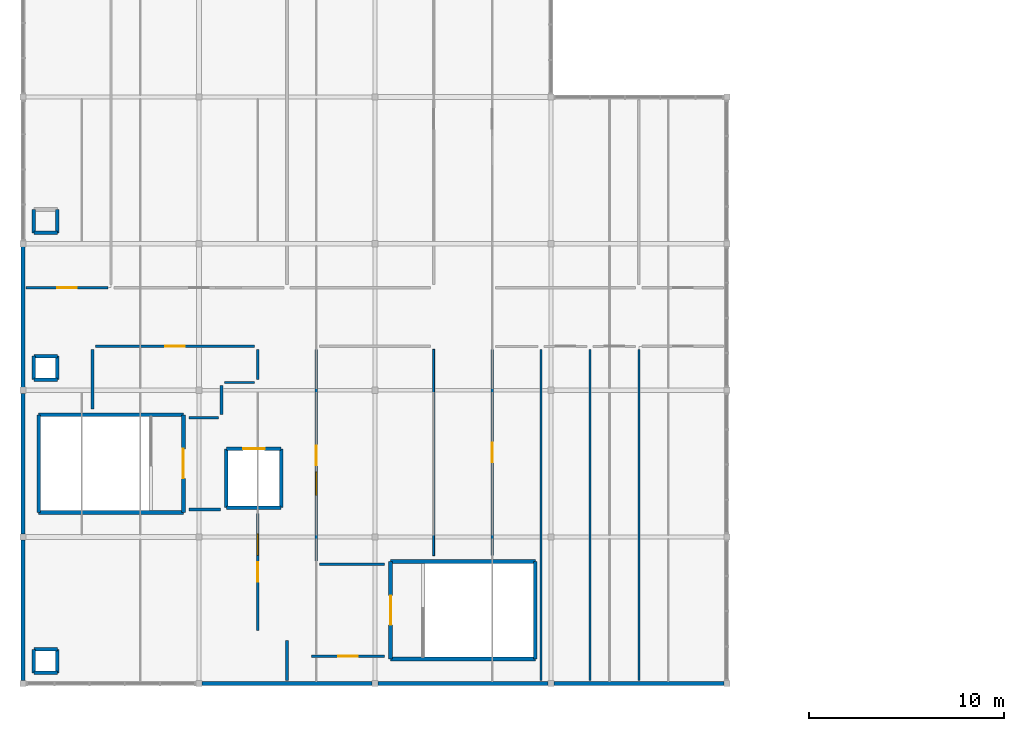
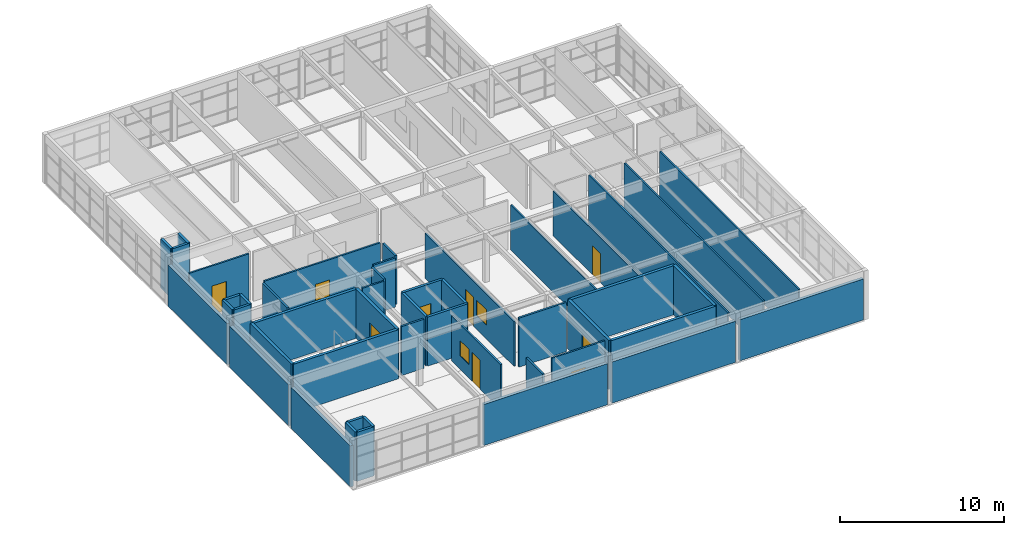
# One storey, part 18 of 24: 47 walls, 9 doors, 2 windows, 11 openings.
"""IFC4 building model written with IfcOpenShell, lengths in metres."""

from ifc_helpers import new_model, si_unit, direction, frame, frame_2d, origin, place, context, subcontext, project, spatial, rectangle, extrude, material, layer, layer_set, type_object, element, fill, save


model = new_model("IFC4")

# Units and contexts
model_context = context("Model", 3, precision=1e-05, world=origin(), true_north=direction((0.0, 1.0)))
body_context = subcontext(model_context, "Body", "Model", "MODEL_VIEW")
ifc_project = project(units=[si_unit("LENGTHUNIT", "METRE"), si_unit("AREAUNIT", "SQUARE_METRE"), si_unit("VOLUMEUNIT", "CUBIC_METRE"), si_unit("PLANEANGLEUNIT", "RADIAN"), si_unit("MASSUNIT", "GRAM", prefix="KILO")], contexts=[model_context])

# Site, building, storey
site_placement = place(None, origin())
site = spatial("IfcSite", under=ifc_project, at=site_placement, CompositionType="ELEMENT")
building_placement = place(site_placement, origin())
building = spatial("IfcBuilding", under=site, at=building_placement, Name="Marnridge Secondary College", CompositionType="ELEMENT")
storey_placement = place(building_placement, frame((0.0, 0.0, 16.10009765625)))
storey = spatial("IfcBuildingStorey", under=building, at=storey_placement, Name="L04", CompositionType="ELEMENT", Elevation=16.10009765625)

# Wall
ifc_material_1 = material(Name="Concrete C40/50 (AS 3600 N40, 40 MPa)", Category="concrete")
ifc_layer_1 = layer(ifc_material_1, 0.199951171875)
ifc_layer_set_1 = layer_set([ifc_layer_1], Name="WT-CORE-RC200")
wall_type_1 = type_object("IfcWallType", Name="WT-CORE-RC200", PredefinedType="SHEAR", material=ifc_layer_set_1)
wall_1_placement = place(storey_placement, frame((0.800048828125, 8.75, 0.0), z_axis=(0.0, 0.0, 1.0), x_axis=(1.0, 0.0, 0.0)))
element("IfcWall", 1, at=wall_1_placement, inside=storey, type_object=wall_type_1, Name="Stair core shear wall WC-L04-0313", PredefinedType="SHEAR", context=body_context, shape_type="SweptSolid", body=[
    extrude(rectangle(XDim=7.39990234375, YDim=0.199951171875, at=frame_2d((3.699951171875, 0.0))), origin(), (0.0, 0.0, 1.0), 3.64990234375),
])

# Wall, opening, door
wall_2_placement = place(storey_placement, frame((8.199951171875, 8.75, 0.0), z_axis=(0.0, 0.0, 1.0), x_axis=(0.0, 1.0, 0.0)))
wall_2 = element("IfcWall", 2, at=wall_2_placement, inside=storey, type_object=wall_type_1, Name="Stair core shear wall WC-L04-0314", PredefinedType="SHEAR", context=body_context, shape_type="SweptSolid", body=[
    extrude(rectangle(XDim=5.0, YDim=0.199951171875, at=frame_2d((2.5, 0.0))), origin(), (0.0, 0.0, 1.0), 3.64990234375),
])
opening_1_placement = place(wall_2_placement, frame((1.75, 0.0, 0.0)))
opening_1 = element("IfcOpeningElement", 3, at=opening_1_placement, cuts=wall_2, Name="Opening DC-L04-017", PredefinedType="OPENING", context=body_context, shape_type="SweptSolid", body=[
    extrude(rectangle(XDim=1.5, YDim=2.14990234375, at=frame_2d((0.75, 1.074951171875))), frame((0.0, 0.10986328125, 0.0), z_axis=(0.0, -1.0, 0.0), x_axis=(1.0, 0.0, 0.0)), (0.0, 0.0, 1.0), 0.219970703125),
])
ifc_material_2 = material(Name="Fire-rated solid-core timber doorset", Category="wood")
door_type_1 = type_object("IfcDoorType", Name="DT-CORE-FD150", OperationType="DOUBLE_DOOR_SINGLE_SWING", PredefinedType="DOOR", material=ifc_material_2)
door_1_placement = place(opening_1_placement, origin())
door_1 = element("IfcDoor", 4, at=door_1_placement, inside=storey, type_object=door_type_1, Name="Fire stair door DC-L04-017", OperationType="DOUBLE_DOOR_SINGLE_SWING", OverallHeight=2.14990234375, OverallWidth=1.5, PredefinedType="DOOR", context=body_context, shape_type="SweptSolid", body=[
    extrude(rectangle(XDim=1.5, YDim=2.14990234375, at=frame_2d((0.75, 1.074951171875))), frame((0.0, 0.02490234375, 0.0), z_axis=(0.0, -1.0, 0.0), x_axis=(1.0, 0.0, 0.0)), (0.0, 0.0, 1.0), 0.050048828125),
])
fill(opening_1, door_1)

# Walls
wall_3_placement = place(storey_placement, frame((8.199951171875, 13.75, 0.0), z_axis=(0.0, 0.0, 1.0), x_axis=(-1.0, 0.0, 0.0)))
element("IfcWall", 5, at=wall_3_placement, inside=storey, type_object=wall_type_1, Name="Stair core shear wall WC-L04-0315", PredefinedType="SHEAR", context=body_context, shape_type="SweptSolid", body=[
    extrude(rectangle(XDim=7.39990234375, YDim=0.199951171875, at=frame_2d((3.699951171875, 0.0))), origin(), (0.0, 0.0, 1.0), 3.64990234375),
])
wall_4_placement = place(storey_placement, frame((0.800048828125, 13.75, 0.0), z_axis=(0.0, 0.0, 1.0), x_axis=(0.0, -1.0, 0.0)))
element("IfcWall", 6, at=wall_4_placement, inside=storey, type_object=wall_type_1, Name="Stair core shear wall WC-L04-0316", PredefinedType="SHEAR", context=body_context, shape_type="SweptSolid", body=[
    extrude(rectangle(XDim=5.0, YDim=0.199951171875, at=frame_2d((2.5, 0.0))), origin(), (0.0, 0.0, 1.0), 3.64990234375),
])
wall_5_placement = place(storey_placement, frame((18.800048828125, 1.25, 0.0), z_axis=(0.0, 0.0, 1.0), x_axis=(1.0, 0.0, 0.0)))
element("IfcWall", 7, at=wall_5_placement, inside=storey, type_object=wall_type_1, Name="Stair core shear wall WC-L04-0333", PredefinedType="SHEAR", context=body_context, shape_type="SweptSolid", body=[
    extrude(rectangle(XDim=7.39990234375, YDim=0.199951171875, at=frame_2d((3.699951171875, 0.0))), origin(), (0.0, 0.0, 1.0), 3.64990234375),
])
wall_6_placement = place(storey_placement, frame((26.199951171875, 1.25, 0.0), z_axis=(0.0, 0.0, 1.0), x_axis=(0.0, 1.0, 0.0)))
element("IfcWall", 8, at=wall_6_placement, inside=storey, type_object=wall_type_1, Name="Stair core shear wall WC-L04-0334", PredefinedType="SHEAR", context=body_context, shape_type="SweptSolid", body=[
    extrude(rectangle(XDim=5.0, YDim=0.199951171875, at=frame_2d((2.5, 0.0))), origin(), (0.0, 0.0, 1.0), 3.64990234375),
])
wall_7_placement = place(storey_placement, frame((26.199951171875, 6.25, 0.0), z_axis=(0.0, 0.0, 1.0), x_axis=(-1.0, 0.0, 0.0)))
element("IfcWall", 9, at=wall_7_placement, inside=storey, type_object=wall_type_1, Name="Stair core shear wall WC-L04-0335", PredefinedType="SHEAR", context=body_context, shape_type="SweptSolid", body=[
    extrude(rectangle(XDim=7.39990234375, YDim=0.199951171875, at=frame_2d((3.699951171875, 0.0))), origin(), (0.0, 0.0, 1.0), 3.64990234375),
])

# Wall, opening, door
wall_8_placement = place(storey_placement, frame((18.800048828125, 6.25, 0.0), z_axis=(0.0, 0.0, 1.0), x_axis=(0.0, -1.0, 0.0)))
wall_8 = element("IfcWall", 10, at=wall_8_placement, inside=storey, type_object=wall_type_1, Name="Stair core shear wall WC-L04-0336", PredefinedType="SHEAR", context=body_context, shape_type="SweptSolid", body=[
    extrude(rectangle(XDim=5.0, YDim=0.199951171875, at=frame_2d((2.5, 0.0))), origin(), (0.0, 0.0, 1.0), 3.64990234375),
])
opening_2_placement = place(wall_8_placement, frame((1.75, 0.0, 0.0)))
opening_2 = element("IfcOpeningElement", 11, at=opening_2_placement, cuts=wall_8, Name="Opening DC-L04-022", PredefinedType="OPENING", context=body_context, shape_type="SweptSolid", body=[
    extrude(rectangle(XDim=1.5, YDim=2.14990234375, at=frame_2d((0.75, 1.074951171875))), frame((0.0, 0.10986328125, 0.0), z_axis=(0.0, -1.0, 0.0), x_axis=(1.0, 0.0, 0.0)), (0.0, 0.0, 1.0), 0.219970703125),
])
door_2_placement = place(opening_2_placement, origin())
door_2 = element("IfcDoor", 12, at=door_2_placement, inside=storey, type_object=door_type_1, Name="Fire stair door DC-L04-022", OperationType="DOUBLE_DOOR_SINGLE_SWING", OverallHeight=2.14990234375, OverallWidth=1.5, PredefinedType="DOOR", context=body_context, shape_type="SweptSolid", body=[
    extrude(rectangle(XDim=1.5, YDim=2.14990234375, at=frame_2d((0.75, 1.074951171875))), frame((0.0, 0.02490234375, 0.0), z_axis=(0.0, -1.0, 0.0), x_axis=(1.0, 0.0, 0.0)), (0.0, 0.0, 1.0), 0.050048828125),
])
fill(opening_2, door_2)

# Walls
ifc_material_3 = material(Name="Cross-laminated timber CL5", Category="wood")
ifc_layer_2 = layer(ifc_material_3, 0.215087890625)
ifc_layer_set_2 = layer_set([ifc_layer_2], Name="WT-EXT-CLT215")
wall_type_2 = type_object("IfcWallType", Name="WT-EXT-CLT215", PredefinedType="SOLIDWALL", material=ifc_layer_set_2)
for number, where, z_axis, x_axis, name in (
    (13, (35.846435546875, 0.0, 0.0), (0.0, 0.0, 1.0), (-1.0, 0.0, 0.0), "Exterior wall WE-L04-0206"),
    (14, (26.846435546875, 0.0, 0.0), (0.0, 0.0, 1.0), (-1.0, 0.0, 0.0), "Exterior wall WE-L04-0207"),
    (15, (17.846435546875, 0.0, 0.0), (0.0, 0.0, 1.0), (-1.0, 0.0, 0.0), "Exterior wall WE-L04-0208"),
):
    element("IfcWall", number, at=place(storey_placement, frame(where, z_axis=z_axis, x_axis=x_axis)), inside=storey, type_object=wall_type_2, Name=name, PredefinedType="SOLIDWALL", context=body_context, shape_type="SweptSolid", body=[
        extrude(rectangle(XDim=8.69287109375, YDim=0.215087890625, at=frame_2d((4.346435546875, 0.0))), origin(), (0.0, 0.0, 1.0), 3.056884765625),
    ])
for number, where, z_axis, x_axis, name in (
    (16, (0.0, 0.153564453125, 0.0), (0.0, 0.0, 1.0), (0.0, 1.0, 0.0), "Exterior wall WE-L04-0209"),
    (17, (0.0, 7.653564453125, 0.0), (0.0, 0.0, 1.0), (0.0, 1.0, 0.0), "Exterior wall WE-L04-0210"),
    (18, (0.0, 15.153564453125, 0.0), (0.0, 0.0, 1.0), (0.0, 1.0, 0.0), "Exterior wall WE-L04-0211"),
):
    element("IfcWall", number, at=place(storey_placement, frame(where, z_axis=z_axis, x_axis=x_axis)), inside=storey, type_object=wall_type_2, Name=name, PredefinedType="SOLIDWALL", context=body_context, shape_type="SweptSolid", body=[
        extrude(rectangle(XDim=7.19287109375, YDim=0.215087890625, at=frame_2d((3.596435546875, 0.0))), origin(), (0.0, 0.0, 1.0), 3.056884765625),
    ])

# Wall, openings, door, window
ifc_material_4 = material(Name="Acoustic plasterboard partition Rw45", Category="gypsum")
ifc_layer_3 = layer(ifc_material_4, 0.1201171875)
ifc_layer_set_3 = layer_set([ifc_layer_3], Name="WT-PART-AC120")
wall_type_3 = type_object("IfcWallType", Name="WT-PART-AC120", PredefinedType="PARTITIONING", material=ifc_layer_set_3)
wall_9_placement = place(storey_placement, frame((12.0, 2.7099609375, 0.0), z_axis=(0.0, 0.0, 1.0), x_axis=(0.0, 1.0, 0.0)))
wall_9 = element("IfcWall", 19, at=wall_9_placement, inside=storey, type_object=wall_type_3, Name="Interior partition WP-L04-0437", PredefinedType="PARTITIONING", context=body_context, shape_type="SweptSolid", body=[
    extrude(rectangle(XDim=5.989990234375, YDim=0.1201171875, at=frame_2d((2.9951171875, 0.0))), origin(), (0.0, 0.0, 1.0), 3.341796875),
])
opening_3_placement = place(wall_9_placement, frame((2.4951171875, 0.0, 0.0)))
opening_3 = element("IfcOpeningElement", 20, at=opening_3_placement, cuts=wall_9, Name="Opening DI-L04-0160", PredefinedType="OPENING", context=body_context, shape_type="SweptSolid", body=[
    extrude(rectangle(XDim=1.0, YDim=2.14990234375, at=frame_2d((0.5, 1.074951171875))), frame((0.0, 0.070068359375, 0.0), z_axis=(0.0, -1.0, 0.0), x_axis=(1.0, 0.0, 0.0)), (0.0, 0.0, 1.0), 0.14013671875),
])
opening_4_placement = place(wall_9_placement, frame((3.844970703125, 0.0, 1.02001953125)))
opening_4 = element("IfcOpeningElement", 21, at=opening_4_placement, cuts=wall_9, Name="Opening WNI-L04-039", PredefinedType="OPENING", context=body_context, shape_type="SweptSolid", body=[
    extrude(rectangle(XDim=1.10009765625, YDim=1.1201171875, at=frame_2d((0.550048828125, 0.56005859375))), frame((0.0, 0.070068359375, 0.0), z_axis=(0.0, -1.0, 0.0), x_axis=(1.0, 0.0, 0.0)), (0.0, 0.0, 1.0), 0.14013671875),
])
ifc_material_5 = material(Name="Solid-core acoustic hoop-pine classroom doorset", Category="wood")
door_type_2 = type_object("IfcDoorType", Name="DT-CLS-100", OperationType="NOTDEFINED", PredefinedType="DOOR", material=ifc_material_5)
door_3_placement = place(opening_3_placement, origin())
door_3 = element("IfcDoor", 22, at=door_3_placement, inside=storey, type_object=door_type_2, Name="Interior door DI-L04-0160", OperationType="SINGLE_SWING_RIGHT", OverallHeight=2.14990234375, OverallWidth=1.0, PredefinedType="DOOR", context=body_context, shape_type="SweptSolid", body=[
    extrude(rectangle(XDim=1.0, YDim=2.14990234375, at=frame_2d((0.5, 1.074951171875))), frame((0.0, 0.02490234375, 0.0), z_axis=(0.0, -1.0, 0.0), x_axis=(1.0, 0.0, 0.0)), (0.0, 0.0, 1.0), 0.050048828125),
])
fill(opening_3, door_3)
ifc_material_6 = material(Name="Acoustic laminated interior vision glazing", Category="glass")
window_type_1 = type_object("IfcWindowType", Name="WN-BL-VAR03", PartitioningType="DOUBLE_PANEL_VERTICAL", PredefinedType="WINDOW", material=ifc_material_6)
window_1_placement = place(opening_4_placement, origin())
window_1 = element("IfcWindow", 23, at=window_1_placement, inside=storey, type_object=window_type_1, Name="Interior vision window WNI-L04-039", OverallHeight=1.1201171875, OverallWidth=1.10009765625, PartitioningType="DOUBLE_PANEL_VERTICAL", PredefinedType="WINDOW", context=body_context, shape_type="SweptSolid", body=[
    extrude(rectangle(XDim=1.10009765625, YDim=1.1201171875, at=frame_2d((0.550048828125, 0.56005859375))), frame((0.0, 0.030029296875, 0.0), z_axis=(0.0, -1.0, 0.0), x_axis=(1.0, 0.0, 0.0)), (0.0, 0.0, 1.0), 0.06005859375),
])
fill(opening_4, window_1)

# Wall, opening, door
wall_10_placement = place(storey_placement, frame((18.5, 1.39990234375, 0.0), z_axis=(0.0, 0.0, 1.0), x_axis=(-1.0, 0.0, 0.0)))
wall_10 = element("IfcWall", 24, at=wall_10_placement, inside=storey, type_object=wall_type_3, Name="Interior partition WP-L04-0439", PredefinedType="PARTITIONING", context=body_context, shape_type="SweptSolid", body=[
    extrude(rectangle(XDim=3.739990234375, YDim=0.1201171875, at=frame_2d((1.8701171875, 0.0))), origin(), (0.0, 0.0, 1.0), 3.64990234375),
])
opening_5_placement = place(wall_10_placement, frame((1.3701171875, 0.0, 0.0)))
opening_5 = element("IfcOpeningElement", 25, at=opening_5_placement, cuts=wall_10, Name="Opening DI-L04-0161", PredefinedType="OPENING", context=body_context, shape_type="SweptSolid", body=[
    extrude(rectangle(XDim=1.0, YDim=2.14990234375, at=frame_2d((0.5, 1.074951171875))), frame((0.0, 0.070068359375, 0.0), z_axis=(0.0, -1.0, 0.0), x_axis=(1.0, 0.0, 0.0)), (0.0, 0.0, 1.0), 0.14013671875),
])
door_4_placement = place(opening_5_placement, origin())
door_4 = element("IfcDoor", 26, at=door_4_placement, inside=storey, type_object=door_type_2, Name="Interior door DI-L04-0161", OperationType="SINGLE_SWING_LEFT", OverallHeight=2.14990234375, OverallWidth=1.0, PredefinedType="DOOR", context=body_context, shape_type="SweptSolid", body=[
    extrude(rectangle(XDim=1.0, YDim=2.14990234375, at=frame_2d((0.5, 1.074951171875))), frame((0.0, 0.02490234375, 0.0), z_axis=(0.0, -1.0, 0.0), x_axis=(1.0, 0.0, 0.0)), (0.0, 0.0, 1.0), 0.050048828125),
])
fill(opening_5, door_4)

# Wall, openings, door, window
wall_11_placement = place(storey_placement, frame((15.0, 17.090087890625, 0.0), z_axis=(0.0, 0.0, 1.0), x_axis=(0.0, -1.0, 0.0)))
wall_11 = element("IfcWall", 27, at=wall_11_placement, inside=storey, type_object=wall_type_3, Name="Interior partition WP-L04-0443", PredefinedType="PARTITIONING", context=body_context, shape_type="SweptSolid", body=[
    extrude(rectangle(XDim=10.830078125, YDim=0.1201171875, at=frame_2d((5.4150390625, 0.0))), origin(), (0.0, 0.0, 1.0), 3.341796875),
])
opening_6_placement = place(wall_11_placement, frame((4.9150390625, 0.0, 0.0)))
opening_6 = element("IfcOpeningElement", 28, at=opening_6_placement, cuts=wall_11, Name="Opening DI-L04-0163", PredefinedType="OPENING", context=body_context, shape_type="SweptSolid", body=[
    extrude(rectangle(XDim=1.0, YDim=2.14990234375, at=frame_2d((0.5, 1.074951171875))), frame((0.0, 0.070068359375, 0.0), z_axis=(0.0, -1.0, 0.0), x_axis=(1.0, 0.0, 0.0)), (0.0, 0.0, 1.0), 0.14013671875),
])
opening_7_placement = place(wall_11_placement, frame((6.264892578125, 0.0, 1.02001953125)))
opening_7 = element("IfcOpeningElement", 29, at=opening_7_placement, cuts=wall_11, Name="Opening WNI-L04-040", PredefinedType="OPENING", context=body_context, shape_type="SweptSolid", body=[
    extrude(rectangle(XDim=1.199951171875, YDim=1.14990234375, at=frame_2d((0.60009765625, 0.574951171875))), frame((0.0, 0.070068359375, 0.0), z_axis=(0.0, -1.0, 0.0), x_axis=(1.0, 0.0, 0.0)), (0.0, 0.0, 1.0), 0.14013671875),
])
door_5_placement = place(opening_6_placement, origin())
door_5 = element("IfcDoor", 30, at=door_5_placement, inside=storey, type_object=door_type_2, Name="Interior door DI-L04-0163", OperationType="SINGLE_SWING_LEFT", OverallHeight=2.14990234375, OverallWidth=1.0, PredefinedType="DOOR", context=body_context, shape_type="SweptSolid", body=[
    extrude(rectangle(XDim=1.0, YDim=2.14990234375, at=frame_2d((0.5, 1.074951171875))), frame((0.0, 0.02490234375, 0.0), z_axis=(0.0, -1.0, 0.0), x_axis=(1.0, 0.0, 0.0)), (0.0, 0.0, 1.0), 0.050048828125),
])
fill(opening_6, door_5)
ifc_material_7 = material(Name="Acoustic laminated interior vision glazing", Category="glass")
window_type_2 = type_object("IfcWindowType", Name="WN-BL-VAR04", PartitioningType="DOUBLE_PANEL_VERTICAL", PredefinedType="WINDOW", material=ifc_material_7)
window_2_placement = place(opening_7_placement, origin())
window_2 = element("IfcWindow", 31, at=window_2_placement, inside=storey, type_object=window_type_2, Name="Interior vision window WNI-L04-040", OverallHeight=1.14990234375, OverallWidth=1.199951171875, PartitioningType="DOUBLE_PANEL_VERTICAL", PredefinedType="WINDOW", context=body_context, shape_type="SweptSolid", body=[
    extrude(rectangle(XDim=1.199951171875, YDim=1.14990234375, at=frame_2d((0.60009765625, 0.574951171875))), frame((0.0, 0.030029296875, 0.0), z_axis=(0.0, -1.0, 0.0), x_axis=(1.0, 0.0, 0.0)), (0.0, 0.0, 1.0), 0.06005859375),
])
fill(opening_7, window_2)

# Walls
wall_12_placement = place(storey_placement, frame((8.5, 13.60009765625, 0.0), z_axis=(0.0, 0.0, 1.0), x_axis=(1.0, 0.0, 0.0)))
element("IfcWall", 32, at=wall_12_placement, inside=storey, type_object=wall_type_3, Name="Interior partition WP-L04-0445", PredefinedType="PARTITIONING", context=body_context, shape_type="SweptSolid", body=[
    extrude(rectangle(XDim=1.489990234375, YDim=0.1201171875, at=frame_2d((0.7451171875, 0.0))), origin(), (0.0, 0.0, 1.0), 3.64990234375),
])
wall_13_placement = place(storey_placement, frame((10.31005859375, 15.39990234375, 0.0), z_axis=(0.0, 0.0, 1.0), x_axis=(1.0, 0.0, 0.0)))
element("IfcWall", 33, at=wall_13_placement, inside=storey, type_object=wall_type_3, Name="Interior partition WP-L04-0447", PredefinedType="PARTITIONING", context=body_context, shape_type="SweptSolid", body=[
    extrude(rectangle(XDim=1.530029296875, YDim=0.1201171875, at=frame_2d((0.76513671875, 0.0))), origin(), (0.0, 0.0, 1.0), 3.64990234375),
])

# Wall, opening, door
wall_14_placement = place(storey_placement, frame((11.840087890625, 17.25, 0.0), z_axis=(0.0, 0.0, 1.0), x_axis=(-1.0, 0.0, 0.0)))
wall_14 = element("IfcWall", 34, at=wall_14_placement, inside=storey, type_object=wall_type_3, Name="Interior partition WP-L04-0449", PredefinedType="PARTITIONING", context=body_context, shape_type="SweptSolid", body=[
    extrude(rectangle(XDim=8.130126953125, YDim=0.1201171875, at=frame_2d((4.06494140625, 0.0))), origin(), (0.0, 0.0, 1.0), 3.64990234375),
])
opening_8_placement = place(wall_14_placement, frame((3.56494140625, 0.0, 0.0)))
opening_8 = element("IfcOpeningElement", 35, at=opening_8_placement, cuts=wall_14, Name="Opening DI-L04-0164", PredefinedType="OPENING", context=body_context, shape_type="SweptSolid", body=[
    extrude(rectangle(XDim=1.0, YDim=2.14990234375, at=frame_2d((0.5, 1.074951171875))), frame((0.0, 0.070068359375, 0.0), z_axis=(0.0, -1.0, 0.0), x_axis=(1.0, 0.0, 0.0)), (0.0, 0.0, 1.0), 0.14013671875),
])
door_6_placement = place(opening_8_placement, origin())
door_6 = element("IfcDoor", 36, at=door_6_placement, inside=storey, type_object=door_type_2, Name="Interior door DI-L04-0164", OperationType="SINGLE_SWING_RIGHT", OverallHeight=2.14990234375, OverallWidth=1.0, PredefinedType="DOOR", context=body_context, shape_type="SweptSolid", body=[
    extrude(rectangle(XDim=1.0, YDim=2.14990234375, at=frame_2d((0.5, 1.074951171875))), frame((0.0, 0.02490234375, 0.0), z_axis=(0.0, -1.0, 0.0), x_axis=(1.0, 0.0, 0.0)), (0.0, 0.0, 1.0), 0.050048828125),
])
fill(opening_8, door_6)

wall_15_placement = place(storey_placement, frame((0.159912109375, 20.25, 0.0), z_axis=(0.0, 0.0, 1.0), x_axis=(1.0, 0.0, 0.0)))
wall_15 = element("IfcWall", 37, at=wall_15_placement, inside=storey, type_object=wall_type_3, Name="Interior partition WP-L04-0451", PredefinedType="PARTITIONING", context=body_context, shape_type="SweptSolid", body=[
    extrude(rectangle(XDim=4.18017578125, YDim=0.1201171875, at=frame_2d((2.090087890625, 0.0))), origin(), (0.0, 0.0, 1.0), 3.64990234375),
])
opening_9_placement = place(wall_15_placement, frame((1.590087890625, 0.0, 0.0)))
opening_9 = element("IfcOpeningElement", 38, at=opening_9_placement, cuts=wall_15, Name="Opening DI-L04-0165", PredefinedType="OPENING", context=body_context, shape_type="SweptSolid", body=[
    extrude(rectangle(XDim=1.0, YDim=2.14990234375, at=frame_2d((0.5, 1.074951171875))), frame((0.0, 0.070068359375, 0.0), z_axis=(0.0, -1.0, 0.0), x_axis=(1.0, 0.0, 0.0)), (0.0, 0.0, 1.0), 0.14013671875),
])
door_7_placement = place(opening_9_placement, origin())
door_7 = element("IfcDoor", 39, at=door_7_placement, inside=storey, type_object=door_type_2, Name="Interior door DI-L04-0165", OperationType="SINGLE_SWING_LEFT", OverallHeight=2.14990234375, OverallWidth=1.0, PredefinedType="DOOR", context=body_context, shape_type="SweptSolid", body=[
    extrude(rectangle(XDim=1.0, YDim=2.14990234375, at=frame_2d((0.5, 1.074951171875))), frame((0.0, 0.02490234375, 0.0), z_axis=(0.0, -1.0, 0.0), x_axis=(1.0, 0.0, 0.0)), (0.0, 0.0, 1.0), 0.050048828125),
])
fill(opening_9, door_7)

# Walls
ifc_material_8 = material(Name="Acoustic plasterboard partition Rw48", Category="gypsum")
ifc_layer_4 = layer(ifc_material_8, 0.135009765625)
ifc_layer_set_4 = layer_set([ifc_layer_4], Name="WT-PART-AC135")
wall_type_4 = type_object("IfcWallType", Name="WT-PART-AC135", PredefinedType="PARTITIONING", material=ifc_layer_set_4)
wall_16_placement = place(storey_placement, frame((10.10009765625, 8.89990234375, 0.0), z_axis=(0.0, 0.0, 1.0), x_axis=(-1.0, 0.0, 0.0)))
element("IfcWall", 40, at=wall_16_placement, inside=storey, type_object=wall_type_4, Name="Interior partition WP-L04-0438", PredefinedType="PARTITIONING", context=body_context, shape_type="SweptSolid", body=[
    extrude(rectangle(XDim=1.60009765625, YDim=0.135009765625, at=frame_2d((0.800048828125, 0.0))), origin(), (0.0, 0.0, 1.0), 3.64990234375),
])
wall_17_placement = place(storey_placement, frame((15.159912109375, 6.10009765625, 0.0), z_axis=(0.0, 0.0, 1.0), x_axis=(1.0, 0.0, 0.0)))
element("IfcWall", 41, at=wall_17_placement, inside=storey, type_object=wall_type_4, Name="Interior partition WP-L04-0444", PredefinedType="PARTITIONING", context=body_context, shape_type="SweptSolid", body=[
    extrude(rectangle(XDim=3.340087890625, YDim=0.135009765625, at=frame_2d((1.669921875, 0.0))), origin(), (0.0, 0.0, 1.0), 3.64990234375),
])
wall_18_placement = place(storey_placement, frame((10.14990234375, 13.760009765625, 0.0), z_axis=(0.0, 0.0, 1.0), x_axis=(0.0, 1.0, 0.0)))
element("IfcWall", 42, at=wall_18_placement, inside=storey, type_object=wall_type_4, Name="Interior partition WP-L04-0446", PredefinedType="PARTITIONING", context=body_context, shape_type="SweptSolid", body=[
    extrude(rectangle(XDim=1.47998046875, YDim=0.135009765625, at=frame_2d((0.739990234375, 0.0))), origin(), (0.0, 0.0, 1.0), 3.64990234375),
])
wall_19_placement = place(storey_placement, frame((12.0, 15.56005859375, 0.0), z_axis=(0.0, 0.0, 1.0), x_axis=(0.0, 1.0, 0.0)))
element("IfcWall", 43, at=wall_19_placement, inside=storey, type_object=wall_type_4, Name="Interior partition WP-L04-0448", PredefinedType="PARTITIONING", context=body_context, shape_type="SweptSolid", body=[
    extrude(rectangle(XDim=1.530029296875, YDim=0.135009765625, at=frame_2d((0.76513671875, 0.0))), origin(), (0.0, 0.0, 1.0), 3.64990234375),
])
wall_20_placement = place(storey_placement, frame((3.550048828125, 17.090087890625, 0.0), z_axis=(0.0, 0.0, 1.0), x_axis=(0.0, -1.0, 0.0)))
element("IfcWall", 44, at=wall_20_placement, inside=storey, type_object=wall_type_4, Name="Interior partition WP-L04-0450", PredefinedType="PARTITIONING", context=body_context, shape_type="SweptSolid", body=[
    extrude(rectangle(XDim=3.0400390625, YDim=0.135009765625, at=frame_2d((1.52001953125, 0.0))), origin(), (0.0, 0.0, 1.0), 3.64990234375),
])
wall_21_placement = place(storey_placement, frame((13.5, 0.159912109375, 0.0), z_axis=(0.0, 0.0, 1.0), x_axis=(0.0, 1.0, 0.0)))
element("IfcWall", 45, at=wall_21_placement, inside=storey, type_object=wall_type_4, Name="Interior partition WP-L04-0458", PredefinedType="PARTITIONING", context=body_context, shape_type="SweptSolid", body=[
    extrude(rectangle(XDim=2.030029296875, YDim=0.135009765625, at=frame_2d((1.01513671875, 0.0))), origin(), (0.0, 0.0, 1.0), 3.64990234375),
])
ifc_material_9 = material(Name="Acoustic glazed studio partition system", Category="gypsum")
ifc_layer_5 = layer(ifc_material_9, 0.10009765625)
ifc_layer_set_5 = layer_set([ifc_layer_5], Name="WT-PART-GL100")
wall_type_5 = type_object("IfcWallType", Name="WT-PART-GL100", PredefinedType="PARTITIONING", material=ifc_layer_set_5)
wall_22_placement = place(storey_placement, frame((21.0, 6.550048828125, 0.0), z_axis=(0.0, 0.0, 1.0), x_axis=(0.0, 1.0, 0.0)))
element("IfcWall", 46, at=wall_22_placement, inside=storey, type_object=wall_type_5, Name="Interior partition WP-L04-0441", PredefinedType="PARTITIONING", context=body_context, shape_type="SweptSolid", body=[
    extrude(rectangle(XDim=10.5400390625, YDim=0.10009765625, at=frame_2d((5.27001953125, 0.0))), origin(), (0.0, 0.0, 1.0), 3.341796875),
])
ifc_material_10 = material(Name="Moisture-resistant plasterboard sanitary partition", Category="gypsum")
ifc_layer_6 = layer(ifc_material_10, 0.110107421875)
ifc_layer_set_6 = layer_set([ifc_layer_6], Name="WT-PART-WT110")
wall_type_6 = type_object("IfcWallType", Name="WT-PART-WT110", PredefinedType="PARTITIONING", material=ifc_layer_set_6)
wall_23_placement = place(storey_placement, frame((26.5, 0.159912109375, 0.0), z_axis=(0.0, 0.0, 1.0), x_axis=(0.0, 1.0, 0.0)))
element("IfcWall", 47, at=wall_23_placement, inside=storey, type_object=wall_type_6, Name="Interior partition WP-L04-0430", PredefinedType="PARTITIONING", context=body_context, shape_type="SweptSolid", body=[
    extrude(rectangle(XDim=16.93017578125, YDim=0.110107421875, at=frame_2d((8.465087890625, 0.0))), origin(), (0.0, 0.0, 1.0), 3.64990234375),
])

# Wall, opening, door
wall_24_placement = place(storey_placement, frame((24.0, 17.090087890625, 0.0), z_axis=(0.0, 0.0, 1.0), x_axis=(0.0, -1.0, 0.0)))
wall_24 = element("IfcWall", 48, at=wall_24_placement, inside=storey, type_object=wall_type_6, Name="Interior partition WP-L04-0431", PredefinedType="PARTITIONING", context=body_context, shape_type="SweptSolid", body=[
    extrude(rectangle(XDim=10.5400390625, YDim=0.110107421875, at=frame_2d((5.27001953125, 0.0))), origin(), (0.0, 0.0, 1.0), 3.341796875),
])
opening_10_placement = place(wall_24_placement, frame((4.77001953125, 0.0, 0.0)))
opening_10 = element("IfcOpeningElement", 49, at=opening_10_placement, cuts=wall_24, Name="Opening DI-L04-0157", PredefinedType="OPENING", context=body_context, shape_type="SweptSolid", body=[
    extrude(rectangle(XDim=1.0, YDim=2.14990234375, at=frame_2d((0.5, 1.074951171875))), frame((0.0, 0.06494140625, 0.0), z_axis=(0.0, -1.0, 0.0), x_axis=(1.0, 0.0, 0.0)), (0.0, 0.0, 1.0), 0.130126953125),
])
door_8_placement = place(opening_10_placement, origin())
door_8 = element("IfcDoor", 50, at=door_8_placement, inside=storey, type_object=door_type_2, Name="Interior door DI-L04-0157", OperationType="SINGLE_SWING_LEFT", OverallHeight=2.14990234375, OverallWidth=1.0, PredefinedType="DOOR", context=body_context, shape_type="SweptSolid", body=[
    extrude(rectangle(XDim=1.0, YDim=2.14990234375, at=frame_2d((0.5, 1.074951171875))), frame((0.0, 0.02490234375, 0.0), z_axis=(0.0, -1.0, 0.0), x_axis=(1.0, 0.0, 0.0)), (0.0, 0.0, 1.0), 0.050048828125),
])
fill(opening_10, door_8)

# Walls
for number, where, z_axis, x_axis, name in (
    (51, (29.0, 0.159912109375, 0.0), (0.0, 0.0, 1.0), (0.0, 1.0, 0.0), "Interior partition WP-L04-0433"),
    (52, (31.5, 0.159912109375, 0.0), (0.0, 0.0, 1.0), (0.0, 1.0, 0.0), "Interior partition WP-L04-0436"),
):
    element("IfcWall", number, at=place(storey_placement, frame(where, z_axis=z_axis, x_axis=x_axis)), inside=storey, type_object=wall_type_6, Name=name, PredefinedType="PARTITIONING", context=body_context, shape_type="SweptSolid", body=[
        extrude(rectangle(XDim=16.93017578125, YDim=0.110107421875, at=frame_2d((8.465087890625, 0.0))), origin(), (0.0, 0.0, 1.0), 3.64990234375),
    ])
ifc_material_11 = material(Name="Concrete C40/50 (AS 3600 N40, 40 MPa)", Category="concrete")
ifc_layer_7 = layer(ifc_material_11, 0.179931640625)
ifc_layer_set_7 = layer_set([ifc_layer_7], Name="WT-SHAFT-RC180")
wall_type_7 = type_object("IfcWallType", Name="WT-SHAFT-RC180", PredefinedType="SHEAR", material=ifc_layer_set_7)
for number, where, z_axis, x_axis, name in (
    (53, (1.75, 0.550048828125, 0.0), (0.0, 0.0, 1.0), (-1.0, 0.0, 0.0), "Service riser shaft wall WR-L04-0225"),
    (54, (0.550048828125, 0.550048828125, 0.0), (0.0, 0.0, 1.0), (0.0, 1.0, 0.0), "Service riser shaft wall WR-L04-0226"),
    (55, (0.550048828125, 1.75, 0.0), (0.0, 0.0, 1.0), (1.0, 0.0, 0.0), "Service riser shaft wall WR-L04-0227"),
    (56, (1.75, 1.75, 0.0), (0.0, 0.0, 1.0), (0.0, -1.0, 0.0), "Service riser shaft wall WR-L04-0228"),
    (57, (1.75, 15.550048828125, 0.0), (0.0, 0.0, 1.0), (-1.0, 0.0, 0.0), "Service riser shaft wall WR-L04-0229"),
    (58, (0.550048828125, 15.550048828125, 0.0), (0.0, 0.0, 1.0), (0.0, 1.0, 0.0), "Service riser shaft wall WR-L04-0230"),
    (59, (0.550048828125, 16.75, 0.0), (0.0, 0.0, 1.0), (1.0, 0.0, 0.0), "Service riser shaft wall WR-L04-0231"),
    (60, (1.75, 16.75, 0.0), (0.0, 0.0, 1.0), (0.0, -1.0, 0.0), "Service riser shaft wall WR-L04-0232"),
    (61, (1.75, 23.050048828125, 0.0), (0.0, 0.0, 1.0), (-1.0, 0.0, 0.0), "Service riser shaft wall WR-L04-0233"),
    (62, (0.550048828125, 23.050048828125, 0.0), (0.0, 0.0, 1.0), (0.0, 1.0, 0.0), "Service riser shaft wall WR-L04-0234"),
    (63, (1.75, 24.25, 0.0), (0.0, 0.0, 1.0), (0.0, -1.0, 0.0), "Service riser shaft wall WR-L04-0236"),
):
    element("IfcWall", number, at=place(storey_placement, frame(where, z_axis=z_axis, x_axis=x_axis)), inside=storey, type_object=wall_type_7, Name=name, PredefinedType="SHEAR", context=body_context, shape_type="SweptSolid", body=[
        extrude(rectangle(XDim=1.199951171875, YDim=0.179931640625, at=frame_2d((0.60009765625, 0.0))), origin(), (0.0, 0.0, 1.0), 3.64990234375),
    ])
wall_25_placement = place(storey_placement, frame((13.199951171875, 9.0, 0.0), z_axis=(0.0, 0.0, 1.0), x_axis=(-1.0, 0.0, 0.0)))
element("IfcWall", 64, at=wall_25_placement, inside=storey, type_object=wall_type_7, Name="Lift shaft wall WL-L04-0449", PredefinedType="SHEAR", context=body_context, shape_type="SweptSolid", body=[
    extrude(rectangle(XDim=2.800048828125, YDim=0.179931640625, at=frame_2d((1.39990234375, 0.0))), origin(), (0.0, 0.0, 1.0), 3.64990234375),
])
wall_26_placement = place(storey_placement, frame((10.39990234375, 9.0, 0.0), z_axis=(0.0, 0.0, 1.0), x_axis=(0.0, 1.0, 0.0)))
element("IfcWall", 65, at=wall_26_placement, inside=storey, type_object=wall_type_7, Name="Lift shaft wall WL-L04-0450", PredefinedType="SHEAR", context=body_context, shape_type="SweptSolid", body=[
    extrude(rectangle(XDim=3.0, YDim=0.179931640625, at=frame_2d((1.5, 0.0))), origin(), (0.0, 0.0, 1.0), 3.64990234375),
])

# Wall, opening, door
wall_27_placement = place(storey_placement, frame((10.39990234375, 12.0, 0.0), z_axis=(0.0, 0.0, 1.0), x_axis=(1.0, 0.0, 0.0)))
wall_27 = element("IfcWall", 66, at=wall_27_placement, inside=storey, type_object=wall_type_7, Name="Lift shaft wall WL-L04-0451", PredefinedType="SHEAR", context=body_context, shape_type="SweptSolid", body=[
    extrude(rectangle(XDim=2.800048828125, YDim=0.179931640625, at=frame_2d((1.39990234375, 0.0))), origin(), (0.0, 0.0, 1.0), 3.64990234375),
])
opening_11_placement = place(wall_27_placement, frame((0.85009765625, 0.0, 0.0)))
opening_11 = element("IfcOpeningElement", 67, at=opening_11_placement, cuts=wall_27, Name="Opening LD-LC-02-L04", PredefinedType="OPENING", context=body_context, shape_type="SweptSolid", body=[
    extrude(rectangle(XDim=1.10009765625, YDim=2.14990234375, at=frame_2d((0.550048828125, 1.074951171875))), frame((0.0, 0.099853515625, 0.0), z_axis=(0.0, -1.0, 0.0), x_axis=(1.0, 0.0, 0.0)), (0.0, 0.0, 1.0), 0.199951171875),
])
ifc_material_12 = material(Name="Stainless steel Grade 350 automatic sliding lift landing doorset", Category="steel")
door_type_3 = type_object("IfcDoorType", Name="DT-LIFT-LD110", OperationType="SLIDING_TO_LEFT", PredefinedType="DOOR", material=ifc_material_12)
door_9_placement = place(opening_11_placement, origin())
door_9 = element("IfcDoor", 68, at=door_9_placement, inside=storey, type_object=door_type_3, Name="Sliding lift landing door LD-LC-02-L04", OperationType="SLIDING_TO_LEFT", OverallHeight=2.14990234375, OverallWidth=1.10009765625, PredefinedType="DOOR", context=body_context, shape_type="SweptSolid", body=[
    extrude(rectangle(XDim=1.10009765625, YDim=2.14990234375, at=frame_2d((0.550048828125, 1.074951171875))), frame((0.0, 0.02490234375, 0.0), z_axis=(0.0, -1.0, 0.0), x_axis=(1.0, 0.0, 0.0)), (0.0, 0.0, 1.0), 0.050048828125),
])
fill(opening_11, door_9)

# Wall
wall_28_placement = place(storey_placement, frame((13.199951171875, 12.0, 0.0), z_axis=(0.0, 0.0, 1.0), x_axis=(0.0, -1.0, 0.0)))
element("IfcWall", 69, at=wall_28_placement, inside=storey, type_object=wall_type_7, Name="Lift shaft wall WL-L04-0452", PredefinedType="SHEAR", context=body_context, shape_type="SweptSolid", body=[
    extrude(rectangle(XDim=3.0, YDim=0.179931640625, at=frame_2d((1.5, 0.0))), origin(), (0.0, 0.0, 1.0), 3.64990234375),
])

save(model, "model.ifc")
